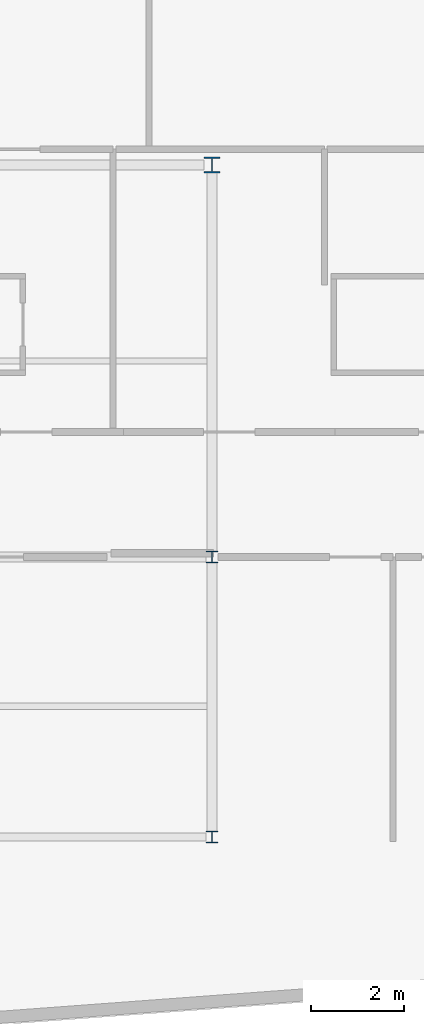
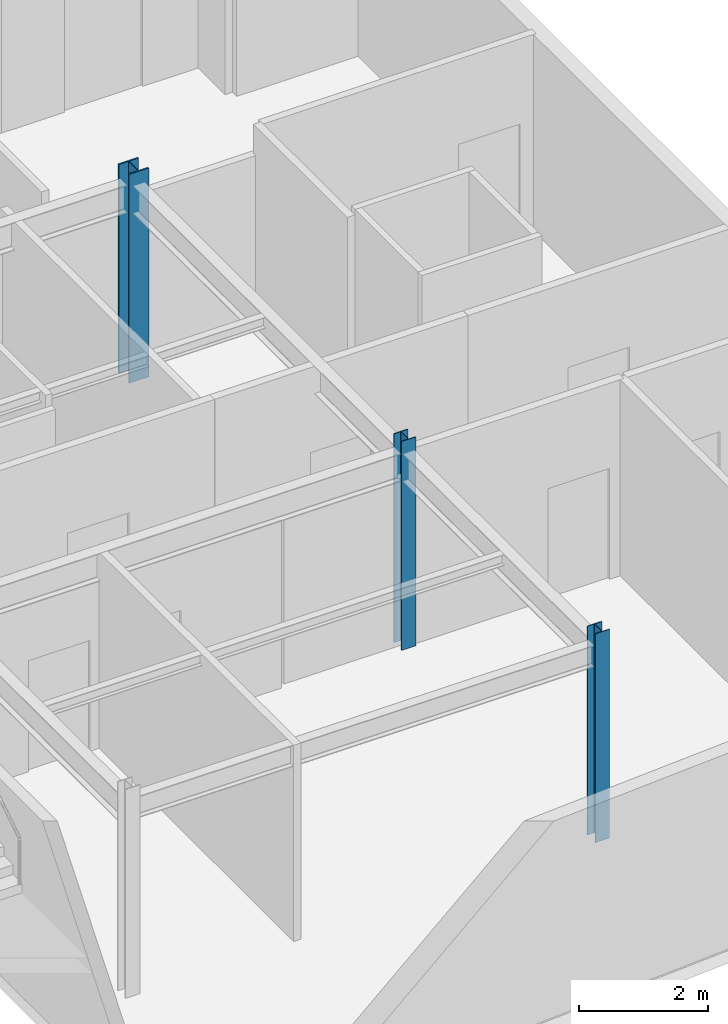
# One storey, part 3 of 15: 3 columns.
"""IFC4 building model written with IfcOpenShell, lengths in metres."""

from ifc_helpers import new_model, si_unit, direction, frame, origin, origin_2d, place, context, subcontext, project, spatial, i_section, extrude, material, material_profile, profile_set, type_object, element, save


model = new_model("IFC4")

# Units and contexts
model_context = context("Model", 3, precision=1e-05, world=origin(), true_north=direction((0.0, 1.0)))
body_context = subcontext(model_context, "Body", "Model", "MODEL_VIEW")
ifc_project = project(units=[si_unit("LENGTHUNIT", "METRE"), si_unit("AREAUNIT", "SQUARE_METRE"), si_unit("VOLUMEUNIT", "CUBIC_METRE"), si_unit("PLANEANGLEUNIT", "RADIAN"), si_unit("MASSUNIT", "GRAM", prefix="KILO")], contexts=[model_context])

# Site, building, storey
site_placement = place(None, origin())
site = spatial("IfcSite", under=ifc_project, at=site_placement, CompositionType="ELEMENT")
building_placement = place(site_placement, origin())
building = spatial("IfcBuilding", under=site, at=building_placement, Name="Varnakote Quay Hospital", CompositionType="ELEMENT")
storey_placement = place(building_placement, frame((0.0, 0.0, 276.300048828125)))
storey = spatial("IfcBuildingStorey", under=building, at=storey_placement, Name="L68", CompositionType="ELEMENT", Elevation=276.300048828125)

# Columns
ifc_material_1 = material(Name="Structural steel AS/NZS 3679.1 Grade 350 L0 (fy 340 MPa)", Category="steel")
ifc_material_profile_1 = material_profile(ifc_material_1, i_section(OverallWidth=0.25390625, OverallDepth=0.25390625, WebThickness=0.008544921875, FlangeThickness=0.01416015625, FilletRadius=0.0126953125, at=origin_2d()), Name="250UC72.9")
ifc_profile_set_1 = profile_set([ifc_material_profile_1], Name="Structural steel AS/NZS 3679.1 Grade 350 L0 (fy 340 MPa)")
column_type_1 = type_object("IfcColumnType", Name="COL-STL-250UC72-9", PredefinedType="COLUMN", material=ifc_profile_set_1)
for number, where, z_axis, x_axis, name in (
    (1, (33.60009765625, 6.0, 0.0), (0.0, 0.0, 1.0), (1.0, 0.0, 0.0), "L68 Structural Column C-34-6"),
    (2, (33.60009765625, 12.0, 0.0), (0.0, 0.0, 1.0), (1.0, 0.0, 0.0), "L68 Structural Column C-34-12"),
):
    element("IfcColumn", number, at=place(storey_placement, frame(where, z_axis=z_axis, x_axis=x_axis)), inside=storey, type_object=column_type_1, Name=name, PredefinedType="COLUMN", context=body_context, shape_type="SweptSolid", body=[
        extrude(i_section(OverallWidth=0.25390625, OverallDepth=0.25390625, WebThickness=0.008544921875, FlangeThickness=0.01416015625, FilletRadius=0.0126953125, at=origin_2d()), origin(), (0.0, 0.0, 1.0), 3.949951171875),
    ])
ifc_material_2 = material(Name="Structural steel AS/NZS 3678 Grade 350 (fy 340 MPa)", Category="steel")
ifc_material_profile_2 = material_profile(ifc_material_2, i_section(OverallWidth=0.35009765625, OverallDepth=0.340087890625, WebThickness=0.01611328125, FlangeThickness=0.028076171875, at=origin_2d()), Name="350WC197")
ifc_profile_set_2 = profile_set([ifc_material_profile_2], Name="Structural steel AS/NZS 3678 Grade 350 (fy 340 MPa)")
column_type_2 = type_object("IfcColumnType", Name="COL-STL-350WC197", PredefinedType="COLUMN", material=ifc_profile_set_2)
column_placement = place(storey_placement, frame((33.60009765625, 20.39990234375, 0.0), z_axis=(0.0, 0.0, 1.0), x_axis=(1.0, 0.0, 0.0)))
element("IfcColumn", 3, at=column_placement, inside=storey, type_object=column_type_2, Name="L68 Structural Column C-34-20", PredefinedType="COLUMN", context=body_context, shape_type="SweptSolid", body=[
    extrude(i_section(OverallWidth=0.35009765625, OverallDepth=0.340087890625, WebThickness=0.01611328125, FlangeThickness=0.028076171875, at=origin_2d()), origin(), (0.0, 0.0, 1.0), 3.949951171875),
])

save(model, "model.ifc")
